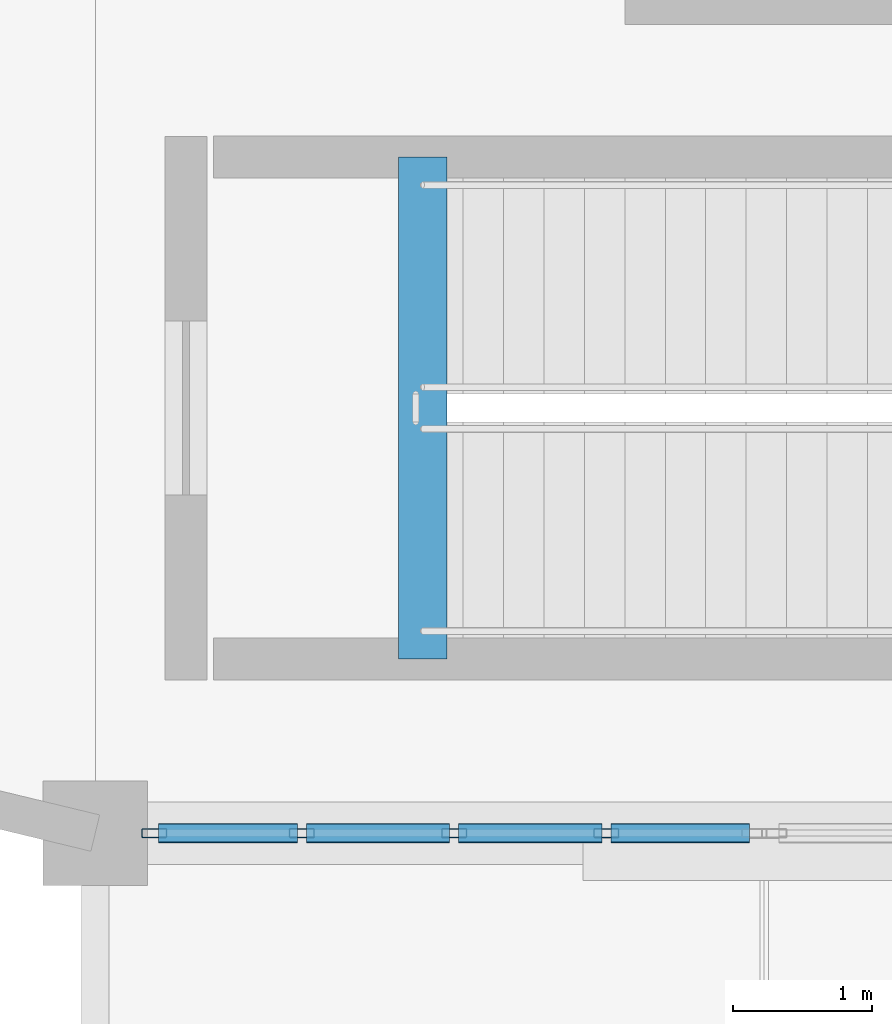
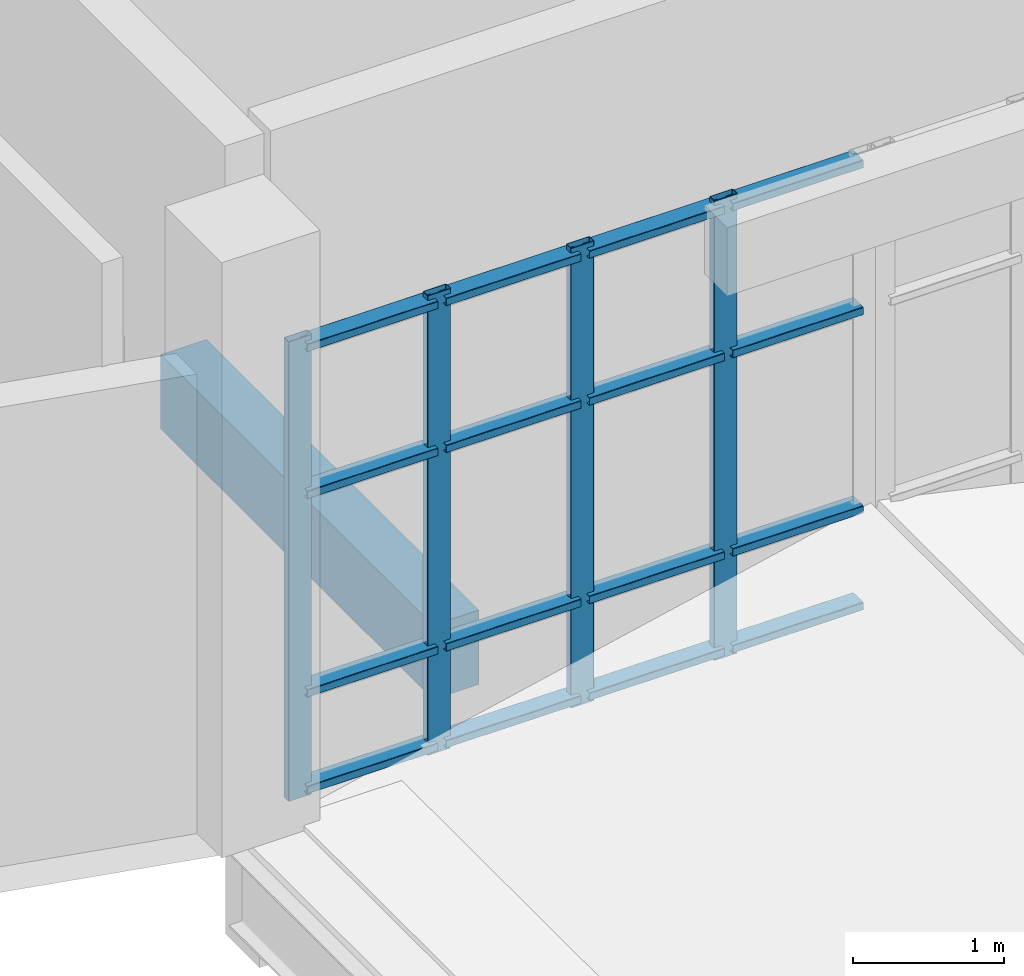
# One storey, part 39 of 106: 20 members, 1 beam, 1 element without a shape of its own.
"""IFC4 building model written with IfcOpenShell, lengths in metres."""

from ifc_helpers import new_model, si_unit, direction, frame, origin, origin_2d, place, context, subcontext, project, spatial, rectangle, hollow_rectangle, extrude, material, layer, layer_set, material_profile, profile_set, type_object, element, aggregate, save


model = new_model("IFC4")

# Units and contexts
model_context = context("Model", 3, precision=1e-05, world=origin(), true_north=direction((0.0, 1.0)))
body_context = subcontext(model_context, "Body", "Model", "MODEL_VIEW")
ifc_project = project(units=[si_unit("LENGTHUNIT", "METRE"), si_unit("AREAUNIT", "SQUARE_METRE"), si_unit("VOLUMEUNIT", "CUBIC_METRE"), si_unit("PLANEANGLEUNIT", "RADIAN"), si_unit("MASSUNIT", "GRAM", prefix="KILO")], contexts=[model_context])

# Site, building, storey
site_placement = place(None, origin())
site = spatial("IfcSite", under=ifc_project, at=site_placement, CompositionType="ELEMENT")
building_placement = place(site_placement, origin())
building = spatial("IfcBuilding", under=site, at=building_placement, Name="Kisaragi Civic Commons", CompositionType="ELEMENT")
storey_placement = place(building_placement, frame((0.0, 0.0, 4.800048828125)))
storey = spatial("IfcBuildingStorey", under=building, at=storey_placement, Name="L01", CompositionType="ELEMENT", Elevation=4.800048828125)

# Curtain wall, members
ifc_material_1 = material(Name="Thermally broken anodized aluminium and low-E double glazing", Category="aluminium")
ifc_layer = layer(ifc_material_1, 0.179931640625, Name="Thermally broken anodized aluminium and low-E double glazing", Category="aluminium")
ifc_layer_set = layer_set([ifc_layer], Name="Thermally broken anodized aluminium and low-E double glazing")
curtain_wall_type = type_object("IfcCurtainWallType", Name="CW-01", PredefinedType="NOTDEFINED", material=ifc_layer_set)
curtain_wall_placement = place(storey_placement, origin())
curtain_wall = element("IfcCurtainWall", 1, at=curtain_wall_placement, inside=storey, type_object=curtain_wall_type, Name="L01 curtain wall CW-01 CW-V4-L01-076", PredefinedType="NOTDEFINED")
ifc_material_profile_1 = material_profile(ifc_material_1, hollow_rectangle(XDim=0.06494140625, YDim=0.179931640625, WallThickness=0.00439453125, InnerFilletRadius=0.00439453125, OuterFilletRadius=0.009033203125, at=origin_2d()), Name="CWM-65x180x4.5", Category="aluminium")
ifc_profile_set_1 = profile_set([ifc_material_profile_1], Name="Thermally broken anodized aluminium and low-E double glazing")
member_type_1 = type_object("IfcMemberType", Name="CWM-02", PredefinedType="MULLION", material=ifc_profile_set_1)
member_1_placement = place(storey_placement, frame((127.267578125, 96.0, 0.0), z_axis=(0.0, 0.0, 1.0), x_axis=(0.0, -1.0, 0.0)))
member_1 = element("IfcMember", 2, at=member_1_placement, type_object=member_type_1, Name="CW-01 mullion 2", PredefinedType="MULLION", context=body_context, shape_type="SweptSolid", body=[
    extrude(hollow_rectangle(XDim=0.06494140625, YDim=0.179931640625, WallThickness=0.00439453125, InnerFilletRadius=0.00439453125, OuterFilletRadius=0.009033203125, at=origin_2d()), origin(), (0.0, 0.0, 1.0), 3.704833984375),
])
member_2_placement = place(storey_placement, frame((126.175048828125, 96.0, 0.0), z_axis=(0.0, 0.0, 1.0), x_axis=(0.0, -1.0, 0.0)))
member_2 = element("IfcMember", 3, at=member_2_placement, type_object=member_type_1, Name="CW-01 mullion 3", PredefinedType="MULLION", context=body_context, shape_type="SweptSolid", body=[
    extrude(hollow_rectangle(XDim=0.06494140625, YDim=0.179931640625, WallThickness=0.00439453125, InnerFilletRadius=0.00439453125, OuterFilletRadius=0.009033203125, at=origin_2d()), origin(), (0.0, 0.0, 1.0), 3.704833984375),
])
member_3_placement = place(storey_placement, frame((125.08251953125, 96.0, 0.0), z_axis=(0.0, 0.0, 1.0), x_axis=(0.0, -1.0, 0.0)))
member_3 = element("IfcMember", 4, at=member_3_placement, type_object=member_type_1, Name="CW-01 mullion 4", PredefinedType="MULLION", context=body_context, shape_type="SweptSolid", body=[
    extrude(hollow_rectangle(XDim=0.06494140625, YDim=0.179931640625, WallThickness=0.00439453125, InnerFilletRadius=0.00439453125, OuterFilletRadius=0.009033203125, at=origin_2d()), origin(), (0.0, 0.0, 1.0), 3.704833984375),
])
member_4_placement = place(storey_placement, frame((124.0224609375, 96.0, 0.0), z_axis=(0.0, 0.0, 1.0), x_axis=(0.0, -1.0, 0.0)))
member_4 = element("IfcMember", 5, at=member_4_placement, type_object=member_type_1, Name="CW-01 mullion 5", PredefinedType="MULLION", context=body_context, shape_type="SweptSolid", body=[
    extrude(hollow_rectangle(XDim=0.06494140625, YDim=0.179931640625, WallThickness=0.00439453125, InnerFilletRadius=0.00439453125, OuterFilletRadius=0.009033203125, at=origin_2d()), origin(), (0.0, 0.0, 1.0), 3.704833984375),
])
ifc_material_profile_2 = material_profile(ifc_material_1, hollow_rectangle(XDim=0.139892578125, YDim=0.06494140625, WallThickness=0.00439453125, InnerFilletRadius=0.00439453125, OuterFilletRadius=0.009033203125, at=origin_2d()), Name="CWT-65x140x4.5", Category="aluminium")
ifc_profile_set_2 = profile_set([ifc_material_profile_2], Name="Thermally broken anodized aluminium and low-E double glazing")
member_type_2 = type_object("IfcMemberType", Name="CWT-02", PredefinedType="USERDEFINED", material=ifc_profile_set_2)
member_5_placement = place(storey_placement, frame((128.294921875, 96.0, 0.070068359375), z_axis=(-1.0, 0.0, 0.0), x_axis=(0.0, -1.0, 0.0)))
member_5 = element("IfcMember", 6, at=member_5_placement, type_object=member_type_2, Name="CW-01 transom 1.1", ObjectType="TRANSOM", PredefinedType="USERDEFINED", context=body_context, shape_type="SweptSolid", body=[
    extrude(hollow_rectangle(XDim=0.139892578125, YDim=0.06494140625, WallThickness=0.00439453125, InnerFilletRadius=0.00439453125, OuterFilletRadius=0.009033203125, at=origin_2d()), origin(), (0.0, 0.0, 1.0), 0.994873046875),
])
member_6_placement = place(storey_placement, frame((128.294921875, 96.0, 0.849853515625), z_axis=(-1.0, 0.0, 0.0), x_axis=(0.0, -1.0, 0.0)))
member_6 = element("IfcMember", 7, at=member_6_placement, type_object=member_type_2, Name="CW-01 transom 1.2", ObjectType="TRANSOM", PredefinedType="USERDEFINED", context=body_context, shape_type="SweptSolid", body=[
    extrude(hollow_rectangle(XDim=0.139892578125, YDim=0.06494140625, WallThickness=0.00439453125, InnerFilletRadius=0.00439453125, OuterFilletRadius=0.009033203125, at=origin_2d()), origin(), (0.0, 0.0, 1.0), 0.994873046875),
])
member_7_placement = place(storey_placement, frame((128.294921875, 96.0, 2.449951171875), z_axis=(-1.0, 0.0, 0.0), x_axis=(0.0, -1.0, 0.0)))
member_7 = element("IfcMember", 8, at=member_7_placement, type_object=member_type_2, Name="CW-01 transom 1.3", ObjectType="TRANSOM", PredefinedType="USERDEFINED", context=body_context, shape_type="SweptSolid", body=[
    extrude(hollow_rectangle(XDim=0.139892578125, YDim=0.06494140625, WallThickness=0.00439453125, InnerFilletRadius=0.00439453125, OuterFilletRadius=0.009033203125, at=origin_2d()), origin(), (0.0, 0.0, 1.0), 0.994873046875),
])
member_8_placement = place(storey_placement, frame((128.294921875, 96.0, 3.635009765625), z_axis=(-1.0, 0.0, 0.0), x_axis=(0.0, -1.0, 0.0)))
member_8 = element("IfcMember", 9, at=member_8_placement, type_object=member_type_2, Name="CW-01 transom 1.4", ObjectType="TRANSOM", PredefinedType="USERDEFINED", context=body_context, shape_type="SweptSolid", body=[
    extrude(hollow_rectangle(XDim=0.139892578125, YDim=0.06494140625, WallThickness=0.00439453125, InnerFilletRadius=0.00439453125, OuterFilletRadius=0.009033203125, at=origin_2d()), origin(), (0.0, 0.0, 1.0), 0.994873046875),
])
member_9_placement = place(storey_placement, frame((127.235107421875, 96.0, 0.070068359375), z_axis=(-1.0, 0.0, 0.0), x_axis=(0.0, -1.0, 0.0)))
member_9 = element("IfcMember", 10, at=member_9_placement, type_object=member_type_2, Name="CW-01 transom 2.1", ObjectType="TRANSOM", PredefinedType="USERDEFINED", context=body_context, shape_type="SweptSolid", body=[
    extrude(hollow_rectangle(XDim=0.139892578125, YDim=0.06494140625, WallThickness=0.00439453125, InnerFilletRadius=0.00439453125, OuterFilletRadius=0.009033203125, at=origin_2d()), origin(), (0.0, 0.0, 1.0), 1.027587890625),
])
member_10_placement = place(storey_placement, frame((127.235107421875, 96.0, 0.849853515625), z_axis=(-1.0, 0.0, 0.0), x_axis=(0.0, -1.0, 0.0)))
member_10 = element("IfcMember", 11, at=member_10_placement, type_object=member_type_2, Name="CW-01 transom 2.2", ObjectType="TRANSOM", PredefinedType="USERDEFINED", context=body_context, shape_type="SweptSolid", body=[
    extrude(hollow_rectangle(XDim=0.139892578125, YDim=0.06494140625, WallThickness=0.00439453125, InnerFilletRadius=0.00439453125, OuterFilletRadius=0.009033203125, at=origin_2d()), origin(), (0.0, 0.0, 1.0), 1.027587890625),
])
member_11_placement = place(storey_placement, frame((127.235107421875, 96.0, 2.449951171875), z_axis=(-1.0, 0.0, 0.0), x_axis=(0.0, -1.0, 0.0)))
member_11 = element("IfcMember", 12, at=member_11_placement, type_object=member_type_2, Name="CW-01 transom 2.3", ObjectType="TRANSOM", PredefinedType="USERDEFINED", context=body_context, shape_type="SweptSolid", body=[
    extrude(hollow_rectangle(XDim=0.139892578125, YDim=0.06494140625, WallThickness=0.00439453125, InnerFilletRadius=0.00439453125, OuterFilletRadius=0.009033203125, at=origin_2d()), origin(), (0.0, 0.0, 1.0), 1.027587890625),
])
member_12_placement = place(storey_placement, frame((127.235107421875, 96.0, 3.635009765625), z_axis=(-1.0, 0.0, 0.0), x_axis=(0.0, -1.0, 0.0)))
member_12 = element("IfcMember", 13, at=member_12_placement, type_object=member_type_2, Name="CW-01 transom 2.4", ObjectType="TRANSOM", PredefinedType="USERDEFINED", context=body_context, shape_type="SweptSolid", body=[
    extrude(hollow_rectangle(XDim=0.139892578125, YDim=0.06494140625, WallThickness=0.00439453125, InnerFilletRadius=0.00439453125, OuterFilletRadius=0.009033203125, at=origin_2d()), origin(), (0.0, 0.0, 1.0), 1.027587890625),
])
member_13_placement = place(storey_placement, frame((126.142578125, 96.0, 0.070068359375), z_axis=(-1.0, 0.0, 0.0), x_axis=(0.0, -1.0, 0.0)))
member_13 = element("IfcMember", 14, at=member_13_placement, type_object=member_type_2, Name="CW-01 transom 3.1", ObjectType="TRANSOM", PredefinedType="USERDEFINED", context=body_context, shape_type="SweptSolid", body=[
    extrude(hollow_rectangle(XDim=0.139892578125, YDim=0.06494140625, WallThickness=0.00439453125, InnerFilletRadius=0.00439453125, OuterFilletRadius=0.009033203125, at=origin_2d()), origin(), (0.0, 0.0, 1.0), 1.027587890625),
])
member_14_placement = place(storey_placement, frame((126.142578125, 96.0, 0.849853515625), z_axis=(-1.0, 0.0, 0.0), x_axis=(0.0, -1.0, 0.0)))
member_14 = element("IfcMember", 15, at=member_14_placement, type_object=member_type_2, Name="CW-01 transom 3.2", ObjectType="TRANSOM", PredefinedType="USERDEFINED", context=body_context, shape_type="SweptSolid", body=[
    extrude(hollow_rectangle(XDim=0.139892578125, YDim=0.06494140625, WallThickness=0.00439453125, InnerFilletRadius=0.00439453125, OuterFilletRadius=0.009033203125, at=origin_2d()), origin(), (0.0, 0.0, 1.0), 1.027587890625),
])
member_15_placement = place(storey_placement, frame((126.142578125, 96.0, 2.449951171875), z_axis=(-1.0, 0.0, 0.0), x_axis=(0.0, -1.0, 0.0)))
member_15 = element("IfcMember", 16, at=member_15_placement, type_object=member_type_2, Name="CW-01 transom 3.3", ObjectType="TRANSOM", PredefinedType="USERDEFINED", context=body_context, shape_type="SweptSolid", body=[
    extrude(hollow_rectangle(XDim=0.139892578125, YDim=0.06494140625, WallThickness=0.00439453125, InnerFilletRadius=0.00439453125, OuterFilletRadius=0.009033203125, at=origin_2d()), origin(), (0.0, 0.0, 1.0), 1.027587890625),
])
member_16_placement = place(storey_placement, frame((126.142578125, 96.0, 3.635009765625), z_axis=(-1.0, 0.0, 0.0), x_axis=(0.0, -1.0, 0.0)))
member_16 = element("IfcMember", 17, at=member_16_placement, type_object=member_type_2, Name="CW-01 transom 3.4", ObjectType="TRANSOM", PredefinedType="USERDEFINED", context=body_context, shape_type="SweptSolid", body=[
    extrude(hollow_rectangle(XDim=0.139892578125, YDim=0.06494140625, WallThickness=0.00439453125, InnerFilletRadius=0.00439453125, OuterFilletRadius=0.009033203125, at=origin_2d()), origin(), (0.0, 0.0, 1.0), 1.027587890625),
])
member_17_placement = place(storey_placement, frame((125.050048828125, 96.0, 0.070068359375), z_axis=(-1.0, 0.0, 0.0), x_axis=(0.0, -1.0, 0.0)))
member_17 = element("IfcMember", 18, at=member_17_placement, type_object=member_type_2, Name="CW-01 transom 4.1", ObjectType="TRANSOM", PredefinedType="USERDEFINED", context=body_context, shape_type="SweptSolid", body=[
    extrude(hollow_rectangle(XDim=0.139892578125, YDim=0.06494140625, WallThickness=0.00439453125, InnerFilletRadius=0.00439453125, OuterFilletRadius=0.009033203125, at=origin_2d()), origin(), (0.0, 0.0, 1.0), 0.9951171875),
])
member_18_placement = place(storey_placement, frame((125.050048828125, 96.0, 0.849853515625), z_axis=(-1.0, 0.0, 0.0), x_axis=(0.0, -1.0, 0.0)))
member_18 = element("IfcMember", 19, at=member_18_placement, type_object=member_type_2, Name="CW-01 transom 4.2", ObjectType="TRANSOM", PredefinedType="USERDEFINED", context=body_context, shape_type="SweptSolid", body=[
    extrude(hollow_rectangle(XDim=0.139892578125, YDim=0.06494140625, WallThickness=0.00439453125, InnerFilletRadius=0.00439453125, OuterFilletRadius=0.009033203125, at=origin_2d()), origin(), (0.0, 0.0, 1.0), 0.9951171875),
])
member_19_placement = place(storey_placement, frame((125.050048828125, 96.0, 2.449951171875), z_axis=(-1.0, 0.0, 0.0), x_axis=(0.0, -1.0, 0.0)))
member_19 = element("IfcMember", 20, at=member_19_placement, type_object=member_type_2, Name="CW-01 transom 4.3", ObjectType="TRANSOM", PredefinedType="USERDEFINED", context=body_context, shape_type="SweptSolid", body=[
    extrude(hollow_rectangle(XDim=0.139892578125, YDim=0.06494140625, WallThickness=0.00439453125, InnerFilletRadius=0.00439453125, OuterFilletRadius=0.009033203125, at=origin_2d()), origin(), (0.0, 0.0, 1.0), 0.9951171875),
])
member_20_placement = place(storey_placement, frame((125.050048828125, 96.0, 3.635009765625), z_axis=(-1.0, 0.0, 0.0), x_axis=(0.0, -1.0, 0.0)))
member_20 = element("IfcMember", 21, at=member_20_placement, type_object=member_type_2, Name="CW-01 transom 4.4", ObjectType="TRANSOM", PredefinedType="USERDEFINED", context=body_context, shape_type="SweptSolid", body=[
    extrude(hollow_rectangle(XDim=0.139892578125, YDim=0.06494140625, WallThickness=0.00439453125, InnerFilletRadius=0.00439453125, OuterFilletRadius=0.009033203125, at=origin_2d()), origin(), (0.0, 0.0, 1.0), 0.9951171875),
])
aggregate(curtain_wall, [member_1, member_2, member_3, member_4, member_5, member_6, member_7, member_8, member_9, member_10, member_11, member_12, member_13, member_14, member_15, member_16, member_17, member_18, member_19, member_20])

# Beam
ifc_material_2 = material(Name="Concrete Fc30", Category="concrete")
ifc_material_profile_3 = material_profile(ifc_material_2, rectangle(XDim=0.35009765625, YDim=0.60009765625, at=origin_2d()), Name="RC-350x600", Category="concrete")
ifc_profile_set_3 = profile_set([ifc_material_profile_3], Name="Concrete Fc30")
beam_type = type_object("IfcBeamType", Name="G-14", PredefinedType="BEAM", material=ifc_profile_set_3)
beam_placement = place(storey_placement, frame((125.949951171875, 97.25, -0.300048828125), z_axis=(0.0, 1.0, 0.0), x_axis=(-1.0, 0.0, 0.0)))
element("IfcBeam", 22, at=beam_placement, inside=storey, type_object=beam_type, Name="ST-L3 L01 stair landing trimmer beam", PredefinedType="BEAM", context=body_context, shape_type="SweptSolid", body=[
    extrude(rectangle(XDim=0.35009765625, YDim=0.60009765625, at=origin_2d()), origin(), (0.0, 0.0, 1.0), 3.60009765625),
])

save(model, "model.ifc")
